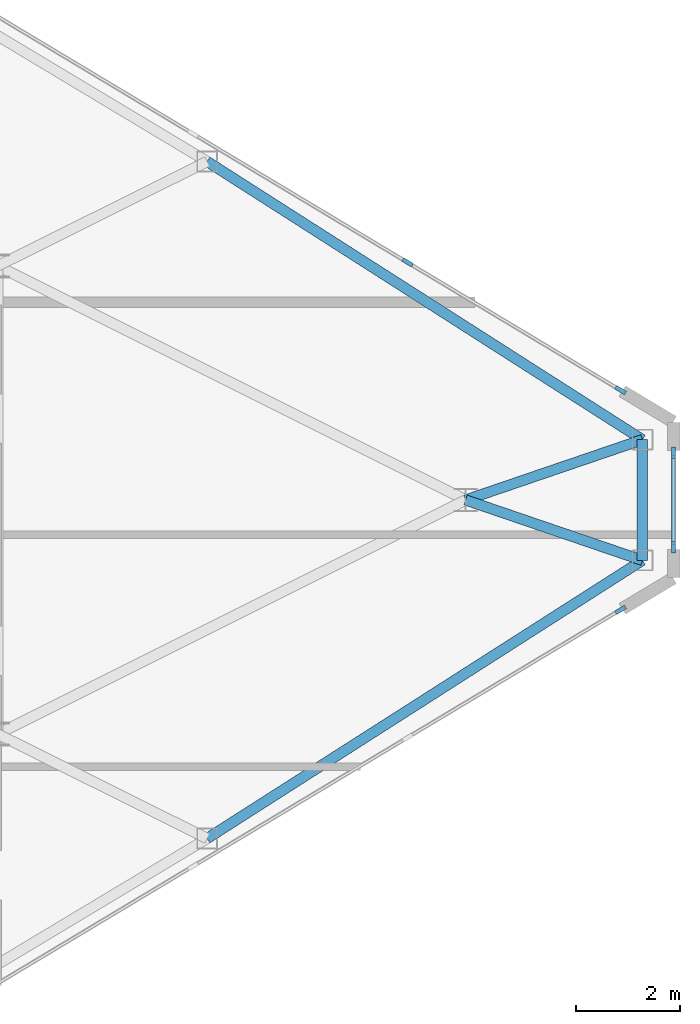
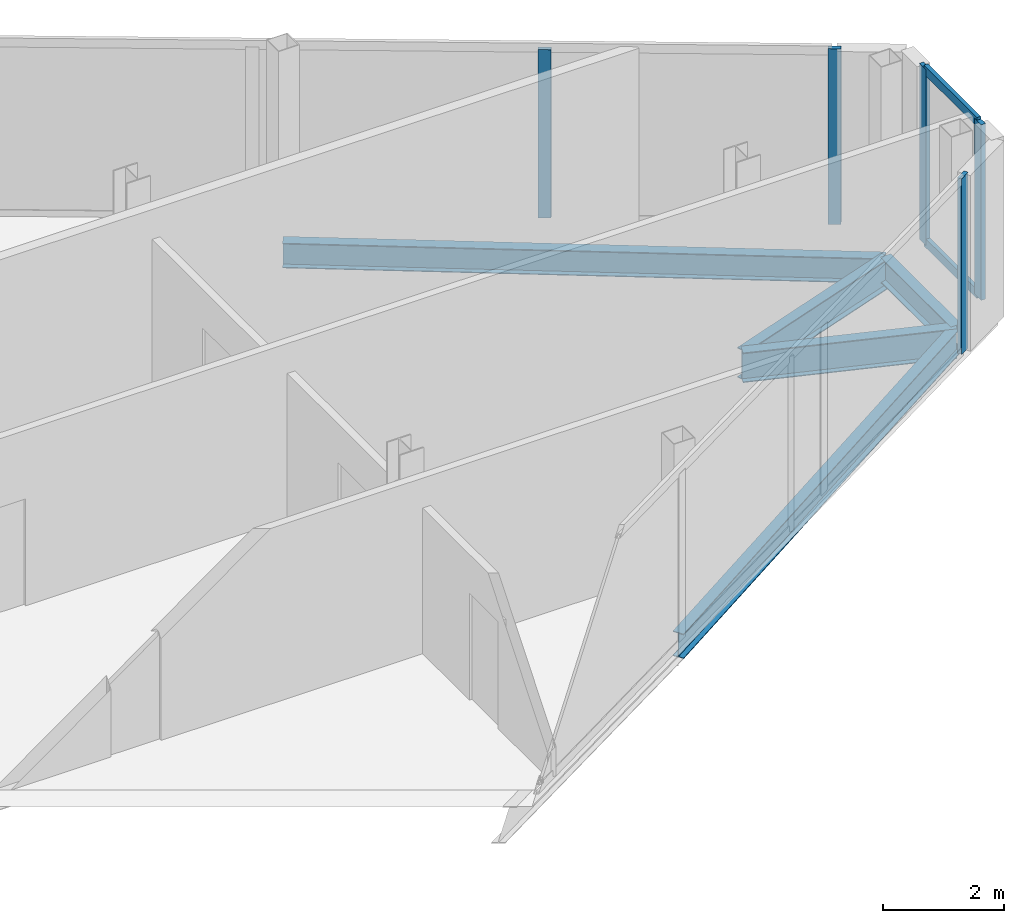
# One storey, part 18 of 29: 7 members, 5 beams, 3 elements without a shape of their own.
"""IFC4 building model written with IfcOpenShell, lengths in metres."""

from ifc_helpers import new_model, si_unit, direction, frame, origin, origin_2d, place, context, subcontext, project, spatial, rectangle, i_section, extrude, source, transform, mapped, material, layer, layer_set, material_profile, profile_set, type_object, type_shapes, element, aggregate, save


model = new_model("IFC4")

# Units and contexts
model_context = context("Model", 3, precision=1e-05, world=origin(), true_north=direction((0.0, 1.0)))
body_context = subcontext(model_context, "Body", "Model", "MODEL_VIEW")
ifc_project = project(units=[si_unit("LENGTHUNIT", "METRE"), si_unit("AREAUNIT", "SQUARE_METRE"), si_unit("VOLUMEUNIT", "CUBIC_METRE"), si_unit("PLANEANGLEUNIT", "RADIAN"), si_unit("MASSUNIT", "GRAM", prefix="KILO")], contexts=[model_context])

# Site, building, storey
site_placement = place(None, origin())
site = spatial("IfcSite", under=ifc_project, at=site_placement, CompositionType="ELEMENT")
building_placement = place(site_placement, origin())
building = spatial("IfcBuilding", under=site, at=building_placement, Name="Seokmaru Belvedere", CompositionType="ELEMENT")
storey_placement = place(building_placement, frame((0.0, 0.0, 258.14990234375)))
storey = spatial("IfcBuildingStorey", under=building, at=storey_placement, Name="L68", CompositionType="ELEMENT", Elevation=258.14990234375)

# Beams
ifc_material_1 = material(Name="Steel SM355 (355 MPa)", Category="steel")
ifc_material_profile_1 = material_profile(ifc_material_1, i_section(OverallWidth=0.199951171875, OverallDepth=0.5, WebThickness=0.010009765625, FlangeThickness=0.01611328125, at=origin_2d()), Name="H-500x200x10x16")
ifc_profile_set_1 = profile_set([ifc_material_profile_1], Name="Steel SM355 (355 MPa)")
beam_type_1 = type_object("IfcBeamType", Name="Perimeter Spandrel Beam H-500", PredefinedType="SPANDREL", material=ifc_profile_set_1)
shared_shape_1 = source(origin(), body_context, "Body", "SweptSolid", [
    extrude(i_section(OverallWidth=0.199951171875, OverallDepth=0.5, WebThickness=0.010009765625, FlangeThickness=0.01611328125, at=origin_2d()), origin(), (0.0, 0.0, 1.0), 9.932861328125),
])
for number, where, z_axis, x_axis, name in (
    (1, (58.530029296875, -6.5087890625, -0.469970703125), (0.842651960357, 0.538458609093, 0.0), (-0.538458609093, 0.842651960357, 0.0), "L68 E Faceted Flank Spandrel S-4"),
    (2, (58.530029296875, 6.5087890625, -0.469970703125), (0.842651960357, -0.538458609093, 0.0), (0.538458609093, 0.842651960357, 0.0), "L68 E Faceted Flank Spandrel N-4"),
):
    element("IfcBeam", number, at=place(storey_placement, frame(where, z_axis=z_axis, x_axis=x_axis)), inside=storey, type_object=beam_type_1, Name=name, PredefinedType="SPANDREL", context=body_context, shape_type="MappedRepresentation", body=[
        mapped(shared_shape_1, transform((0.0, 0.0, 0.0), scale=1.0)),
    ])
shared_shape_2 = source(origin(), body_context, "Body", "SweptSolid", [
    extrude(i_section(OverallWidth=0.199951171875, OverallDepth=0.5, WebThickness=0.010009765625, FlangeThickness=0.01611328125, at=origin_2d()), origin(), (0.0, 0.0, 1.0), 2.32080078125),
])
type_shapes(beam_type_1, [shared_shape_1, shared_shape_2])
beam_placement = place(storey_placement, frame((66.89990234375, -1.160400390625, -0.469970703125), z_axis=(0.0, 1.0, 0.0), x_axis=(-1.0, 0.0, 0.0)))
element("IfcBeam", 3, at=beam_placement, inside=storey, type_object=beam_type_1, Name="L68 E Faceted Apex Spandrel", PredefinedType="SPANDREL", context=body_context, shape_type="MappedRepresentation", body=[
    mapped(shared_shape_2, transform((0.0, 0.0, 0.0), scale=1.0)),
])
ifc_material_profile_2 = material_profile(ifc_material_1, i_section(OverallWidth=0.199951171875, OverallDepth=0.60009765625, WebThickness=0.010986328125, FlangeThickness=0.01708984375, at=origin_2d()), Name="H-600x200x11x17")
ifc_profile_set_2 = profile_set([ifc_material_profile_2], Name="Steel SM355 (355 MPa)")
beam_type_2 = type_object("IfcBeamType", Name="Primary Floor Girder H-600", PredefinedType="BEAM", material=ifc_profile_set_2)
shared_shape_3 = source(origin(), body_context, "Body", "SweptSolid", [
    extrude(i_section(OverallWidth=0.199951171875, OverallDepth=0.60009765625, WebThickness=0.010986328125, FlangeThickness=0.01708984375, at=origin_2d()), origin(), (0.0, 0.0, 1.0), 3.592529296875),
])
type_shapes(beam_type_2, [shared_shape_3])
for number, where, z_axis, x_axis, name in (
    (4, (66.89990234375, -1.160400390625, -0.52001953125), (-0.946395973048, 0.323008764893, 0.0), (-0.323008764893, -0.946395973048, 0.0), "L68 E Apex Radial Floor Girder 1"),
    (5, (66.89990234375, 1.160400390625, -0.52001953125), (-0.946395973048, -0.323008764893, 0.0), (0.323008764893, -0.946395973048, 0.0), "L68 E Apex Radial Floor Girder 2"),
):
    element("IfcBeam", number, at=place(storey_placement, frame(where, z_axis=z_axis, x_axis=x_axis)), inside=storey, type_object=beam_type_2, Name=name, PredefinedType="BEAM", context=body_context, shape_type="MappedRepresentation", body=[
        mapped(shared_shape_3, transform((0.0, 0.0, 0.0), scale=1.0)),
    ])

# Curtain wall, members
ifc_material_2 = material(Name="Bronze Triple Insulating Glass", Category="glass")
ifc_layer = layer(ifc_material_2, 0.219970703125)
ifc_layer_set = layer_set([ifc_layer], Name="Bronze Triple Insulating Glass")
curtain_wall_type = type_object("IfcCurtainWallType", Name="Sky-Gate Bridge Panorama Curtain Wall System CW-6", PredefinedType="NOTDEFINED", material=ifc_layer_set)
curtain_wall_1_placement = place(storey_placement, origin())
curtain_wall_1 = element("IfcCurtainWall", 6, at=curtain_wall_1_placement, inside=storey, type_object=curtain_wall_type, Name="L68 Curtain Wall EF2", PredefinedType="NOTDEFINED")
ifc_material_3 = material(Name="Anodised Bronze Aluminium", Category="aluminium")
ifc_material_profile_3 = material_profile(ifc_material_3, rectangle(XDim=0.074951171875, YDim=0.179931640625, at=origin_2d()), Name="CW-T-75x180")
ifc_profile_set_3 = profile_set([ifc_material_profile_3], Name="Anodised Bronze Aluminium")
member_type_1 = type_object("IfcMemberType", Name="Bronze Unitised Transom 75x180", PredefinedType="USERDEFINED", material=ifc_profile_set_3)
shared_shape_4 = source(origin(), body_context, "Body", "SweptSolid", [
    extrude(rectangle(XDim=0.074951171875, YDim=0.179931640625, at=origin_2d()), origin(), (0.0, 0.0, 1.0), 1.740234375),
])
type_shapes(member_type_1, [shared_shape_4])
member_1_placement = place(storey_placement, frame((67.5, -0.8701171875, 0.03759765625), z_axis=(0.0, 1.0, 0.0), x_axis=(-1.0, 0.0, 0.0)))
member_1 = element("IfcMember", 7, at=member_1_placement, type_object=member_type_1, Name="CW:L68:EF2 Continuous Transom 1", ObjectType="TRANSOM", PredefinedType="USERDEFINED", context=body_context, shape_type="MappedRepresentation", body=[
    mapped(shared_shape_4, transform((0.0, 0.0, 0.0), scale=1.0)),
])
member_2_placement = place(storey_placement, frame((67.5, -0.8701171875, 3.49267578125), z_axis=(0.0, 1.0, 0.0), x_axis=(-1.0, 0.0, 0.0)))
member_2 = element("IfcMember", 8, at=member_2_placement, type_object=member_type_1, Name="CW:L68:EF2 Continuous Transom 2", ObjectType="TRANSOM", PredefinedType="USERDEFINED", context=body_context, shape_type="MappedRepresentation", body=[
    mapped(shared_shape_4, transform((0.0, 0.0, 0.0), scale=1.0)),
])

# Curtain wall, member
curtain_wall_2_placement = place(storey_placement, origin())
curtain_wall_2 = element("IfcCurtainWall", 9, at=curtain_wall_2_placement, inside=storey, type_object=curtain_wall_type, Name="L68 Curtain Wall EF1", PredefinedType="NOTDEFINED")
ifc_material_profile_4 = material_profile(ifc_material_3, rectangle(XDim=0.080078125, YDim=0.219970703125, at=origin_2d()), Name="CW-M-80x220")
ifc_profile_set_4 = profile_set([ifc_material_profile_4], Name="Anodised Bronze Aluminium")
member_type_2 = type_object("IfcMemberType", Name="Bronze Unitised Mullion 80x220", PredefinedType="MULLION", material=ifc_profile_set_4)
shared_shape_5 = source(origin(), body_context, "Body", "SweptSolid", [
    extrude(rectangle(XDim=0.080078125, YDim=0.219970703125, at=origin_2d()), origin(), (0.0, 0.0, 1.0), 3.530029296875),
])
member_3_placement = place(storey_placement, frame((66.4794921875, -2.1123046875, 0.0), z_axis=(0.0, 0.0, 1.0), x_axis=(-0.514494909364, 0.85749343335, 0.0)))
member_3 = element("IfcMember", 10, at=member_3_placement, type_object=member_type_2, Name="CW:L68:EF1 Mullion 9", PredefinedType="MULLION", context=body_context, shape_type="MappedRepresentation", body=[
    mapped(shared_shape_5, transform((0.0, 0.0, 0.0), scale=1.0)),
])
aggregate(curtain_wall_2, [member_3])

# Member
member_4_placement = place(storey_placement, frame((67.5, -0.909912109375, 0.0), z_axis=(0.0, 0.0, 1.0), x_axis=(-1.0, 0.0, 0.0)))
member_4 = element("IfcMember", 11, at=member_4_placement, type_object=member_type_2, Name="CW:L68:EF2 Mullion 1", PredefinedType="MULLION", context=body_context, shape_type="MappedRepresentation", body=[
    mapped(shared_shape_5, transform((0.0, 0.0, 0.0), scale=1.0)),
])

member_5_placement = place(storey_placement, frame((67.5, 0.909912109375, 0.0), z_axis=(0.0, 0.0, 1.0), x_axis=(-1.0, 0.0, 0.0)))
member_5 = element("IfcMember", 12, at=member_5_placement, type_object=member_type_2, Name="CW:L68:EF2 Mullion 2", PredefinedType="MULLION", context=body_context, shape_type="MappedRepresentation", body=[
    mapped(shared_shape_5, transform((0.0, 0.0, 0.0), scale=1.0)),
])

aggregate(curtain_wall_1, [member_4, member_5, member_1, member_2])

# Curtain wall, members
curtain_wall_3_placement = place(storey_placement, origin())
curtain_wall_3 = element("IfcCurtainWall", 13, at=curtain_wall_3_placement, inside=storey, type_object=curtain_wall_type, Name="L68 Curtain Wall EF3", PredefinedType="NOTDEFINED")
member_6_placement = place(storey_placement, frame((66.4794921875, 2.1123046875, 0.0), z_axis=(0.0, 0.0, 1.0), x_axis=(-0.514494909364, -0.85749343335, 0.0)))
member_6 = element("IfcMember", 14, at=member_6_placement, type_object=member_type_2, Name="CW:L68:EF3 Mullion 1", PredefinedType="MULLION", context=body_context, shape_type="MappedRepresentation", body=[
    mapped(shared_shape_5, transform((0.0, 0.0, 0.0), scale=1.0)),
])
shared_shape_6 = source(origin(), body_context, "Body", "SweptSolid", [
    extrude(rectangle(XDim=0.080078125, YDim=0.219970703125, at=origin_2d()), origin(), (0.0, 0.0, 1.0), 3.3798828125),
])
type_shapes(member_type_2, [shared_shape_5, shared_shape_6])
member_7_placement = place(storey_placement, frame((62.385498046875, 4.56884765625, 0.0751953125), z_axis=(0.0, 0.0, 1.0), x_axis=(-0.514494909364, -0.85749343335, 0.0)))
member_7 = element("IfcMember", 15, at=member_7_placement, type_object=member_type_2, Name="CW:L68:EF3 Mullion 2", PredefinedType="MULLION", context=body_context, shape_type="MappedRepresentation", body=[
    mapped(shared_shape_6, transform((0.0, 0.0, 0.0), scale=1.0)),
])
aggregate(curtain_wall_3, [member_6, member_7])

save(model, "model.ifc")
